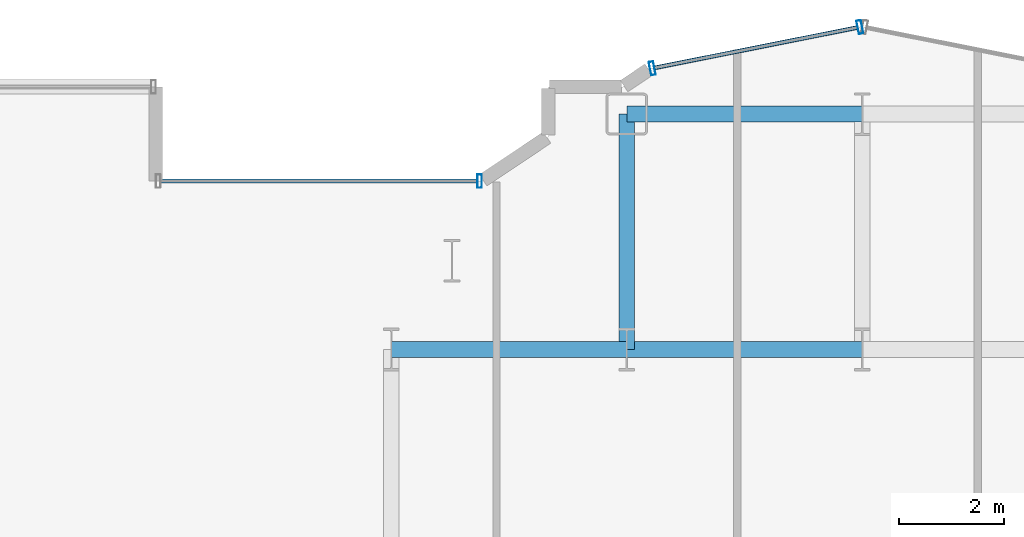
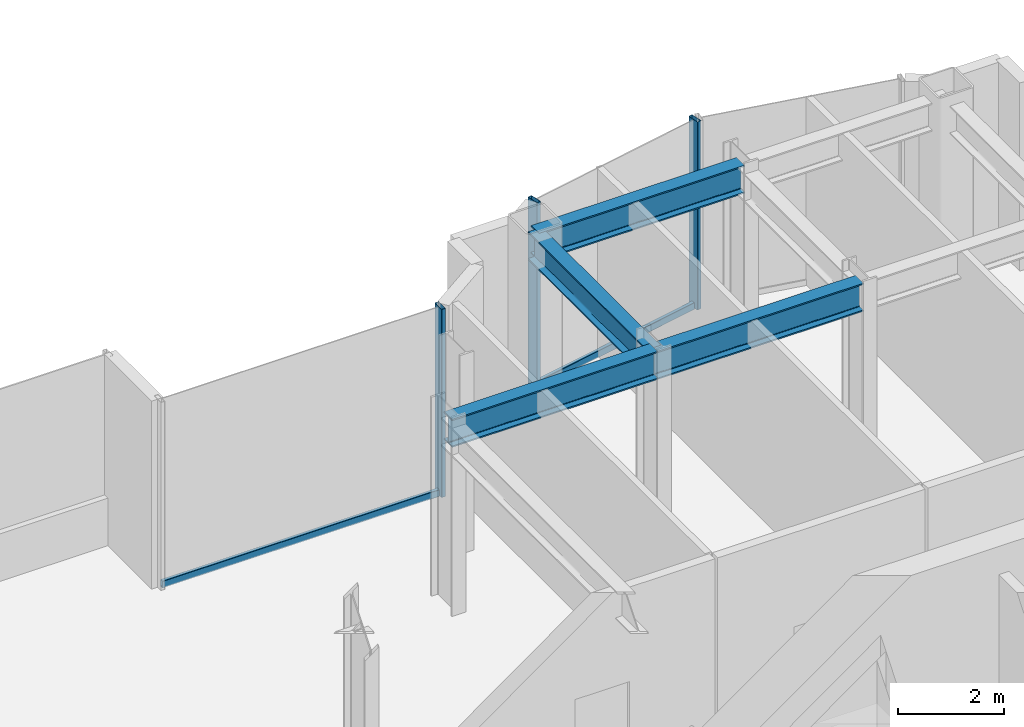
# One storey, part 13 of 26: 5 members, 4 beams, 2 elements without a shape of their own.
"""IFC4 building model written with IfcOpenShell, lengths in metres."""

from ifc_helpers import new_model, si_unit, direction, frame, origin, origin_2d, place, context, subcontext, project, spatial, hollow_rectangle, i_section, extrude, source, transform, mapped, material, layer, layer_set, material_profile, profile_set, type_object, element, aggregate, save


model = new_model("IFC4")

# Units and contexts
model_context = context("Model", 3, precision=1e-05, world=origin(), true_north=direction((0.0, 1.0)))
body_context = subcontext(model_context, "Body", "Model", "MODEL_VIEW")
ifc_project = project(units=[si_unit("LENGTHUNIT", "METRE"), si_unit("AREAUNIT", "SQUARE_METRE"), si_unit("VOLUMEUNIT", "CUBIC_METRE"), si_unit("PLANEANGLEUNIT", "RADIAN"), si_unit("MASSUNIT", "GRAM", prefix="KILO")], contexts=[model_context])

# Site, building, storey
site_placement = place(None, origin())
site = spatial("IfcSite", under=ifc_project, at=site_placement, CompositionType="ELEMENT")
building_placement = place(site_placement, origin())
building = spatial("IfcBuilding", under=site, at=building_placement, Name="Nefas-Gora Pilgrimage Tower", CompositionType="ELEMENT")
storey_placement = place(building_placement, frame((0.0, 0.0, 202.0)))
storey = spatial("IfcBuildingStorey", under=building, at=storey_placement, Name="L50", CompositionType="ELEMENT", Elevation=202.0)

# Beams
ifc_material_1 = material(Name="Steel S355", Category="steel")
ifc_material_profile_1 = material_profile(ifc_material_1, i_section(OverallWidth=0.300048828125, OverallDepth=0.64990234375, WebThickness=0.01611328125, FlangeThickness=0.031005859375, FilletRadius=0.027099609375, at=origin_2d()), Name="HEB 650")
ifc_profile_set_1 = profile_set([ifc_material_profile_1], Name="Steel S355")
beam_type = type_object("IfcBeamType", Name="BM-GIR-HEB650", PredefinedType="BEAM", material=ifc_profile_set_1)
shared_shape_1 = source(origin(), body_context, "Body", "SweptSolid", [
    extrude(i_section(OverallWidth=0.300048828125, OverallDepth=0.64990234375, WebThickness=0.01611328125, FlangeThickness=0.031005859375, FilletRadius=0.027099609375, at=origin_2d()), origin(), (0.0, 0.0, 1.0), 4.5),
])
for number, where, z_axis, x_axis, name in (
    (1, (-11.25, 18.0, 4.02490234375), (1.0, 0.0, 0.0), (0.0, 1.0, 0.0), "L50 G-03 beam"),
    (2, (-6.75, 18.0, 4.02490234375), (0.0, 1.0, 0.0), (-1.0, 0.0, 0.0), "L50 G-03 beam"),
    (3, (-6.75, 18.0, 4.02490234375), (1.0, 0.0, 0.0), (0.0, 1.0, 0.0), "L50 G-03 beam"),
    (4, (-6.75, 22.5, 4.02490234375), (1.0, 0.0, 0.0), (0.0, 1.0, 0.0), "L50 G-03 beam"),
):
    element("IfcBeam", number, at=place(storey_placement, frame(where, z_axis=z_axis, x_axis=x_axis)), inside=storey, type_object=beam_type, Name=name, PredefinedType="BEAM", context=body_context, shape_type="MappedRepresentation", body=[
        mapped(shared_shape_1, transform((0.0, 0.0, 0.0), x_axis=(1.0, 0.0, 0.0), y_axis=(0.0, 1.0, 0.0), z_axis=(0.0, 0.0, 1.0), scale=1.0)),
    ])

# Curtain wall, member
ifc_material_2 = material(Name="Dark ceramic-fritted solar-control aluminium-glass curtain wall", Category="aluminium")
ifc_layer = layer(ifc_material_2, 0.219970703125)
ifc_layer_set = layer_set([ifc_layer], Name="Dark ceramic-fritted solar-control aluminium-glass curtain wall")
curtain_wall_type = type_object("IfcCurtainWallType", Name="CW-SYS-5", PredefinedType="NOTDEFINED", material=ifc_layer_set)
curtain_wall_1_placement = place(storey_placement, origin())
curtain_wall_1 = element("IfcCurtainWall", 5, at=curtain_wall_1_placement, inside=storey, type_object=curtain_wall_type, Name="L50 Unitised Curtain Wall CW5", PredefinedType="NOTDEFINED")
ifc_material_3 = material(Name="Anodised architectural aluminium", Category="aluminium")
ifc_material_profile_2 = material_profile(ifc_material_3, hollow_rectangle(XDim=0.080078125, YDim=0.159912109375, WallThickness=0.00439453125, InnerFilletRadius=0.00439453125, OuterFilletRadius=0.009033203125, at=origin_2d()), Name="ALU TRANSOM 80x160")
ifc_profile_set_2 = profile_set([ifc_material_profile_2], Name="Anodised architectural aluminium")
member_type_1 = type_object("IfcMemberType", Name="CWM-TRN-5", PredefinedType="USERDEFINED", material=ifc_profile_set_2)
shared_shape_2 = source(origin(), body_context, "Body", "SweptSolid", [
    extrude(hollow_rectangle(XDim=0.080078125, YDim=0.159912109375, WallThickness=0.00439453125, InnerFilletRadius=0.00439453125, OuterFilletRadius=0.009033203125, at=origin_2d()), origin(), (0.0, 0.0, 1.0), 6.052001953125),
])
member_1_placement = place(storey_placement, frame((-9.60791015625, 21.219970703125, 0.050048828125), z_axis=(-1.0, 0.0, 0.0), x_axis=(0.0, -1.0, 0.0)))
member_1 = element("IfcMember", 6, at=member_1_placement, type_object=member_type_1, Name="CW5 Spandrel Transom", ObjectType="TRANSOM", PredefinedType="USERDEFINED", context=body_context, shape_type="MappedRepresentation", body=[
    mapped(shared_shape_2, transform((0.0, 0.0, 0.0), x_axis=(1.0, 0.0, 0.0), y_axis=(0.0, 1.0, 0.0), z_axis=(0.0, 0.0, 1.0), scale=1.0)),
])

# Curtain wall, members
curtain_wall_2_placement = place(storey_placement, origin())
curtain_wall_2 = element("IfcCurtainWall", 7, at=curtain_wall_2_placement, inside=storey, type_object=curtain_wall_type, Name="L50 Unitised Curtain Wall CW5", PredefinedType="NOTDEFINED")
shared_shape_3 = source(origin(), body_context, "Body", "SweptSolid", [
    extrude(hollow_rectangle(XDim=0.080078125, YDim=0.159912109375, WallThickness=0.00439453125, InnerFilletRadius=0.00439453125, OuterFilletRadius=0.009033203125, at=origin_2d()), origin(), (0.0, 0.0, 1.0), 3.95654296875),
])
member_2_placement = place(storey_placement, frame((-2.33837890625, 24.15478515625, 0.050048828125), z_axis=(-0.980781880918, -0.195107411605, 0.0), x_axis=(0.195107411605, -0.980781880918, 0.0)))
member_2 = element("IfcMember", 8, at=member_2_placement, type_object=member_type_1, Name="CW5 Spandrel Transom", ObjectType="TRANSOM", PredefinedType="USERDEFINED", context=body_context, shape_type="MappedRepresentation", body=[
    mapped(shared_shape_3, transform((0.0, 0.0, 0.0), x_axis=(1.0, 0.0, 0.0), y_axis=(0.0, 1.0, 0.0), z_axis=(0.0, 0.0, 1.0), scale=1.0)),
])
ifc_material_profile_3 = material_profile(ifc_material_3, hollow_rectangle(XDim=0.090087890625, YDim=0.260009765625, WallThickness=0.006103515625, InnerFilletRadius=0.006103515625, OuterFilletRadius=0.011962890625, at=origin_2d()), Name="ALU MULLION 90x260")
ifc_profile_set_3 = profile_set([ifc_material_profile_3], Name="Anodised architectural aluminium")
member_type_2 = type_object("IfcMemberType", Name="CWM-MUL-5", PredefinedType="MULLION", material=ifc_profile_set_3)
shared_shape_4 = source(origin(), body_context, "Body", "SweptSolid", [
    extrude(hollow_rectangle(XDim=0.090087890625, YDim=0.260009765625, WallThickness=0.006103515625, InnerFilletRadius=0.006103515625, OuterFilletRadius=0.011962890625, at=origin_2d()), origin(), (0.0, 0.0, 1.0), 4.35009765625),
])
member_3_placement = place(storey_placement, frame((-2.294189453125, 24.16357421875, 0.0), z_axis=(0.0, 0.0, 1.0), x_axis=(-0.980782896852, -0.195102304554, 0.0)))
member_3 = element("IfcMember", 9, at=member_3_placement, type_object=member_type_2, Name="CW5 Mullion 1", PredefinedType="MULLION", context=body_context, shape_type="MappedRepresentation", body=[
    mapped(shared_shape_4, transform((0.0, 0.0, 0.0), x_axis=(1.0, 0.0, 0.0), y_axis=(0.0, 1.0, 0.0), z_axis=(0.0, 0.0, 1.0), scale=1.0)),
])
member_4_placement = place(storey_placement, frame((-6.26318359375, 23.3740234375, 0.0), z_axis=(0.0, 0.0, 1.0), x_axis=(-0.980782896852, -0.195102304554, 0.0)))
member_4 = element("IfcMember", 10, at=member_4_placement, type_object=member_type_2, Name="CW5 Mullion 2", PredefinedType="MULLION", context=body_context, shape_type="MappedRepresentation", body=[
    mapped(shared_shape_4, transform((0.0, 0.0, 0.0), x_axis=(1.0, 0.0, 0.0), y_axis=(0.0, 1.0, 0.0), z_axis=(0.0, 0.0, 1.0), scale=1.0)),
])
aggregate(curtain_wall_2, [member_3, member_4, member_2])

# Member
member_5_placement = place(storey_placement, frame((-9.56298828125, 21.219970703125, 0.0), z_axis=(0.0, 0.0, 1.0), x_axis=(-1.0, 0.0, 0.0)))
member_5 = element("IfcMember", 11, at=member_5_placement, type_object=member_type_2, Name="CW5 Mullion 1", PredefinedType="MULLION", context=body_context, shape_type="MappedRepresentation", body=[
    mapped(shared_shape_4, transform((0.0, 0.0, 0.0), x_axis=(1.0, 0.0, 0.0), y_axis=(0.0, 1.0, 0.0), z_axis=(0.0, 0.0, 1.0), scale=1.0)),
])

aggregate(curtain_wall_1, [member_5, member_1])

save(model, "model.ifc")
